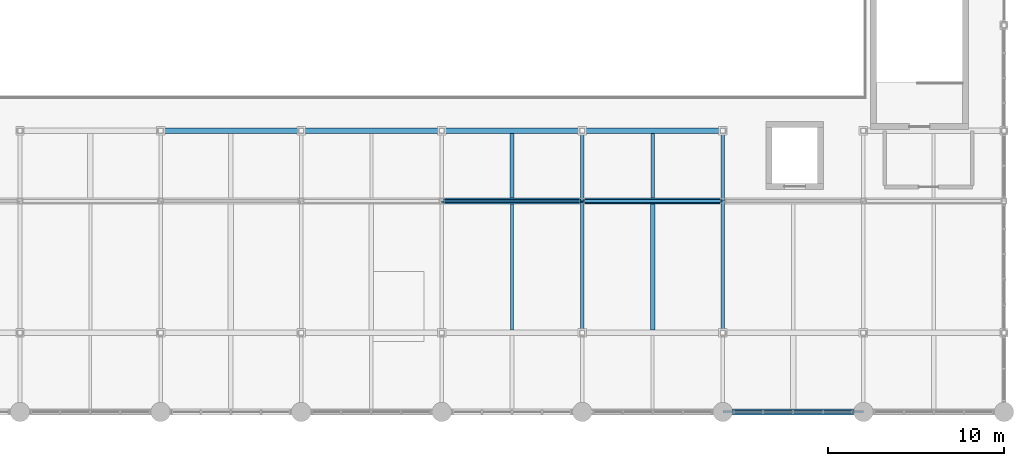
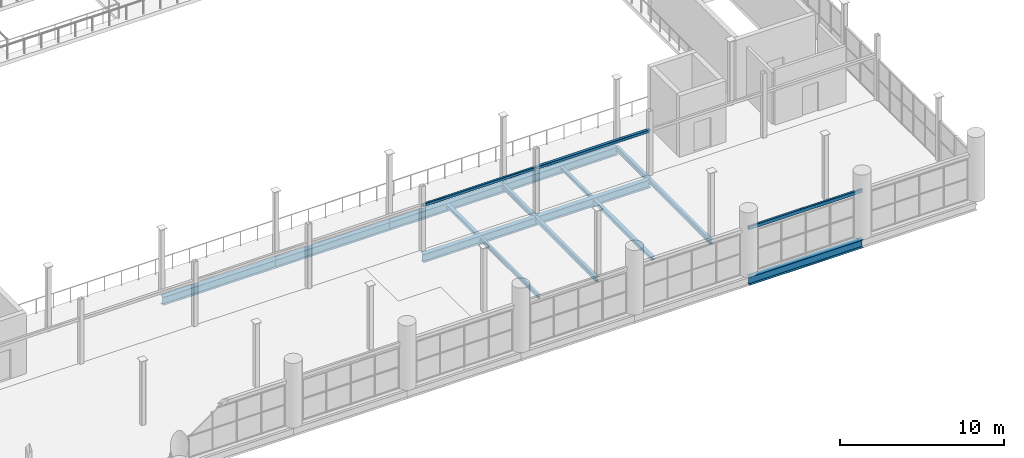
# One storey, part 31 of 114: 18 beams.
"""IFC4 building model written with IfcOpenShell, lengths in metres."""

from ifc_helpers import new_model, si_unit, direction, frame, origin, origin_2d, place, context, subcontext, project, spatial, hollow_rectangle, i_section, extrude, material, material_profile, profile_set, type_object, element, save


model = new_model("IFC4")

# Units and contexts
model_context = context("Model", 3, precision=1e-05, world=origin(), true_north=direction((0.0, 1.0)))
body_context = subcontext(model_context, "Body", "Model", "MODEL_VIEW")
ifc_project = project(units=[si_unit("LENGTHUNIT", "METRE"), si_unit("AREAUNIT", "SQUARE_METRE"), si_unit("VOLUMEUNIT", "CUBIC_METRE"), si_unit("PLANEANGLEUNIT", "RADIAN"), si_unit("MASSUNIT", "GRAM", prefix="KILO")], contexts=[model_context])

# Site, building, storey
site_placement = place(None, origin())
site = spatial("IfcSite", under=ifc_project, at=site_placement, CompositionType="ELEMENT")
building_placement = place(site_placement, origin())
building = spatial("IfcBuilding", under=site, at=building_placement, Name="Verrall Gate Interchange", CompositionType="ELEMENT")
storey_placement = place(building_placement, frame((0.0, 0.0, 6.60009765625)))
storey = spatial("IfcBuildingStorey", under=building, at=storey_placement, Name="L02", CompositionType="ELEMENT", Elevation=6.60009765625)

# Beams
ifc_material_1 = material(Name="Structural Steel CSA G40.21 350WT Cat 4", Category="steel")
ifc_material_profile_1 = material_profile(ifc_material_1, i_section(OverallWidth=0.323974609375, OverallDepth=0.611083984375, WebThickness=0.0126953125, FlangeThickness=0.01904296875, FilletRadius=0.014892578125, at=origin_2d()), Name="W610x155")
ifc_profile_set_1 = profile_set([ifc_material_profile_1], Name="Structural Steel CSA G40.21 350WT Cat 4")
beam_type_1 = type_object("IfcBeamType", Name="B-08 Structural Beam W610x155", PredefinedType="BEAM", material=ifc_profile_set_1)
for number, where, z_axis, x_axis, name in (
    (1, (92.0, 0.0, -0.585693359375), (1.0, 0.0, 0.0), (0.0, 1.0, 0.0), "L02 Girder BM-L02-1448 (B-08)"),
    (2, (76.0, 12.0, -0.585693359375), (1.0, 0.0, 0.0), (0.0, 1.0, 0.0), "L02 Girder BM-L02-1477 (B-08)"),
    (3, (84.0, 12.0, -0.585693359375), (1.0, 0.0, 0.0), (0.0, 1.0, 0.0), "L02 Girder BM-L02-1478 (B-08)"),
    (4, (60.0, 16.0, -0.585693359375), (1.0, 0.0, 0.0), (0.0, 1.0, 0.0), "L02 Girder BM-L02-1493 (B-08)"),
    (5, (68.0, 16.0, -0.585693359375), (1.0, 0.0, 0.0), (0.0, 1.0, 0.0), "L02 Girder BM-L02-1494 (B-08)"),
    (6, (76.0, 16.0, -0.585693359375), (1.0, 0.0, 0.0), (0.0, 1.0, 0.0), "L02 Girder BM-L02-1495 (B-08)"),
    (7, (84.0, 16.0, -0.585693359375), (1.0, 0.0, 0.0), (0.0, 1.0, 0.0), "L02 Girder BM-L02-1496 (B-08)"),
):
    element("IfcBeam", number, at=place(storey_placement, frame(where, z_axis=z_axis, x_axis=x_axis)), inside=storey, type_object=beam_type_1, Name=name, PredefinedType="BEAM", context=body_context, shape_type="SweptSolid", body=[
        extrude(i_section(OverallWidth=0.323974609375, OverallDepth=0.611083984375, WebThickness=0.0126953125, FlangeThickness=0.01904296875, FilletRadius=0.014892578125, at=origin_2d()), origin(), (0.0, 0.0, 1.0), 8.0),
    ])
ifc_material_2 = material(Name="Structural Steel CSA G40.21 350W", Category="steel")
ifc_material_profile_2 = material_profile(ifc_material_2, i_section(OverallWidth=0.205078125, OverallDepth=0.35400390625, WebThickness=0.009521484375, FlangeThickness=0.016845703125, FilletRadius=0.012939453125, at=origin_2d()), Name="W360x79")
ifc_profile_set_2 = profile_set([ifc_material_profile_2], Name="Structural Steel CSA G40.21 350W")
beam_type_2 = type_object("IfcBeamType", Name="B-14 Structural Beam W360x79", PredefinedType="BEAM", material=ifc_profile_set_2)
beam_1_placement = place(storey_placement, frame((84.0, 4.5, -0.45703125), z_axis=(0.0, 1.0, 0.0), x_axis=(-1.0, 0.0, 0.0)))
element("IfcBeam", 8, at=beam_1_placement, inside=storey, type_object=beam_type_2, Name="L02 Girder BM-L02-1757 (B-14)", PredefinedType="BEAM", context=body_context, shape_type="SweptSolid", body=[
    extrude(i_section(OverallWidth=0.205078125, OverallDepth=0.35400390625, WebThickness=0.009521484375, FlangeThickness=0.016845703125, FilletRadius=0.012939453125, at=origin_2d()), origin(), (0.0, 0.0, 1.0), 7.5),
])
beam_2_placement = place(storey_placement, frame((84.0, 12.0, -0.45703125), z_axis=(0.0, 1.0, 0.0), x_axis=(-1.0, 0.0, 0.0)))
element("IfcBeam", 9, at=beam_2_placement, inside=storey, type_object=beam_type_2, Name="L02 Girder BM-L02-1758 (B-14)", PredefinedType="BEAM", context=body_context, shape_type="SweptSolid", body=[
    extrude(i_section(OverallWidth=0.205078125, OverallDepth=0.35400390625, WebThickness=0.009521484375, FlangeThickness=0.016845703125, FilletRadius=0.012939453125, at=origin_2d()), origin(), (0.0, 0.0, 1.0), 4.0),
])
beam_3_placement = place(storey_placement, frame((92.0, 4.5, -0.45703125), z_axis=(0.0, 1.0, 0.0), x_axis=(-1.0, 0.0, 0.0)))
element("IfcBeam", 10, at=beam_3_placement, inside=storey, type_object=beam_type_2, Name="L02 Girder BM-L02-1762 (B-14)", PredefinedType="BEAM", context=body_context, shape_type="SweptSolid", body=[
    extrude(i_section(OverallWidth=0.205078125, OverallDepth=0.35400390625, WebThickness=0.009521484375, FlangeThickness=0.016845703125, FilletRadius=0.012939453125, at=origin_2d()), origin(), (0.0, 0.0, 1.0), 7.5),
])
beam_4_placement = place(storey_placement, frame((92.0, 12.0, -0.45703125), z_axis=(0.0, 1.0, 0.0), x_axis=(-1.0, 0.0, 0.0)))
element("IfcBeam", 11, at=beam_4_placement, inside=storey, type_object=beam_type_2, Name="L02 Girder BM-L02-1763 (B-14)", PredefinedType="BEAM", context=body_context, shape_type="SweptSolid", body=[
    extrude(i_section(OverallWidth=0.205078125, OverallDepth=0.35400390625, WebThickness=0.009521484375, FlangeThickness=0.016845703125, FilletRadius=0.012939453125, at=origin_2d()), origin(), (0.0, 0.0, 1.0), 4.0),
])
ifc_material_3 = material(Name="Structural Steel CSA G40.21 350W", Category="steel")
ifc_material_profile_3 = material_profile(ifc_material_3, i_section(OverallWidth=0.1650390625, OverallDepth=0.31005859375, WebThickness=0.005859375, FlangeThickness=0.009765625, FilletRadius=0.010009765625, at=origin_2d()), Name="W310x39")
ifc_profile_set_3 = profile_set([ifc_material_profile_3], Name="Structural Steel CSA G40.21 350W")
beam_type_3 = type_object("IfcBeamType", Name="J-04 Floor Joist W310x39", PredefinedType="JOIST", material=ifc_profile_set_3)
beam_5_placement = place(storey_placement, frame((80.0, 4.662109375, -0.43505859375), z_axis=(0.0, 1.0, 0.0), x_axis=(-1.0, 0.0, 0.0)))
element("IfcBeam", 12, at=beam_5_placement, inside=storey, type_object=beam_type_3, Name="L02 Secondary Floor Joist JST-L02-1863", PredefinedType="JOIST", context=body_context, shape_type="SweptSolid", body=[
    extrude(i_section(OverallWidth=0.1650390625, OverallDepth=0.31005859375, WebThickness=0.005859375, FlangeThickness=0.009765625, FilletRadius=0.010009765625, at=origin_2d()), origin(), (0.0, 0.0, 1.0), 7.17578125),
])
ifc_material_4 = material(Name="Structural Steel CSA G40.21 350W", Category="steel")
ifc_material_profile_4 = material_profile(ifc_material_4, i_section(OverallWidth=0.25390625, OverallDepth=0.2529296875, WebThickness=0.008544921875, FlangeThickness=0.01416015625, FilletRadius=0.011962890625, at=origin_2d()), Name="W250x73")
ifc_profile_set_4 = profile_set([ifc_material_profile_4], Name="Structural Steel CSA G40.21 350W")
beam_type_4 = type_object("IfcBeamType", Name="J-05 Floor Joist W250x73", PredefinedType="JOIST", material=ifc_profile_set_4)
beam_6_placement = place(storey_placement, frame((88.0, 4.662109375, -0.406494140625), z_axis=(0.0, 1.0, 0.0), x_axis=(-1.0, 0.0, 0.0)))
element("IfcBeam", 13, at=beam_6_placement, inside=storey, type_object=beam_type_4, Name="L02 Secondary Floor Joist JST-L02-1864", PredefinedType="JOIST", context=body_context, shape_type="SweptSolid", body=[
    extrude(i_section(OverallWidth=0.25390625, OverallDepth=0.2529296875, WebThickness=0.008544921875, FlangeThickness=0.01416015625, FilletRadius=0.011962890625, at=origin_2d()), origin(), (0.0, 0.0, 1.0), 7.17578125),
])
beam_7_placement = place(storey_placement, frame((80.0, 12.162109375, -0.406494140625), z_axis=(0.0, 1.0, 0.0), x_axis=(-1.0, 0.0, 0.0)))
element("IfcBeam", 14, at=beam_7_placement, inside=storey, type_object=beam_type_4, Name="L02 Secondary Floor Joist JST-L02-1875", PredefinedType="JOIST", context=body_context, shape_type="SweptSolid", body=[
    extrude(i_section(OverallWidth=0.25390625, OverallDepth=0.2529296875, WebThickness=0.008544921875, FlangeThickness=0.01416015625, FilletRadius=0.011962890625, at=origin_2d()), origin(), (0.0, 0.0, 1.0), 3.67578125),
])
ifc_material_5 = material(Name="Structural Steel CSA G40.21 350W", Category="steel")
ifc_material_profile_5 = material_profile(ifc_material_5, i_section(OverallWidth=0.201904296875, OverallDepth=0.2470703125, WebThickness=0.00732421875, FlangeThickness=0.010986328125, FilletRadius=0.010986328125, at=origin_2d()), Name="W250x49")
ifc_profile_set_5 = profile_set([ifc_material_profile_5], Name="Structural Steel CSA G40.21 350W")
beam_type_5 = type_object("IfcBeamType", Name="J-06 Floor Joist W250x49", PredefinedType="JOIST", material=ifc_profile_set_5)
beam_8_placement = place(storey_placement, frame((88.0, 12.162109375, -0.403564453125), z_axis=(0.0, 1.0, 0.0), x_axis=(-1.0, 0.0, 0.0)))
element("IfcBeam", 15, at=beam_8_placement, inside=storey, type_object=beam_type_5, Name="L02 Secondary Floor Joist JST-L02-1876", PredefinedType="JOIST", context=body_context, shape_type="SweptSolid", body=[
    extrude(i_section(OverallWidth=0.201904296875, OverallDepth=0.2470703125, WebThickness=0.00732421875, FlangeThickness=0.010986328125, FilletRadius=0.010986328125, at=origin_2d()), origin(), (0.0, 0.0, 1.0), 3.67578125),
])
ifc_material_6 = material(Name="Structural Steel CSA G40.21 350W", Category="steel")
ifc_material_profile_6 = material_profile(ifc_material_6, hollow_rectangle(XDim=0.152099609375, YDim=0.25390625, WallThickness=0.009521484375, InnerFilletRadius=0.009521484375, OuterFilletRadius=0.01904296875, at=origin_2d()), Name="HSS254x152x9.5")
ifc_profile_set_6 = profile_set([ifc_material_profile_6], Name="Structural Steel CSA G40.21 350W")
beam_type_6 = type_object("IfcBeamType", Name="LN-01 Portal Lintel HSS254x152x9.5", PredefinedType="LINTEL", material=ifc_profile_set_6)
beam_9_placement = place(storey_placement, frame((92.0, 0.0, 3.2998046875), z_axis=(1.0, 0.0, 0.0), x_axis=(0.0, 1.0, 0.0)))
element("IfcBeam", 16, at=beam_9_placement, inside=storey, type_object=beam_type_6, Name="Classical Portal Lintel 033", PredefinedType="LINTEL", context=body_context, shape_type="SweptSolid", body=[
    extrude(hollow_rectangle(XDim=0.152099609375, YDim=0.25390625, WallThickness=0.009521484375, InnerFilletRadius=0.009521484375, OuterFilletRadius=0.01904296875, at=origin_2d()), origin(), (0.0, 0.0, 1.0), 8.0),
])
ifc_material_7 = material(Name="Structural Steel CSA G40.21 350W", Category="steel")
ifc_material_profile_7 = material_profile(ifc_material_7, hollow_rectangle(XDim=0.152099609375, YDim=0.202880859375, WallThickness=0.008056640625, InnerFilletRadius=0.008056640625, OuterFilletRadius=0.015869140625, at=origin_2d()), Name="HSS203x152x8.0")
ifc_profile_set_7 = profile_set([ifc_material_profile_7], Name="Structural Steel CSA G40.21 350W")
beam_type_7 = type_object("IfcBeamType", Name="LN-02 Portal Lintel HSS203x152x8.0", PredefinedType="LINTEL", material=ifc_profile_set_7)
beam_10_placement = place(storey_placement, frame((76.0, 12.0, 3.2998046875), z_axis=(1.0, 0.0, 0.0), x_axis=(0.0, 1.0, 0.0)))
element("IfcBeam", 17, at=beam_10_placement, inside=storey, type_object=beam_type_7, Name="Classical Portal Lintel 030", PredefinedType="LINTEL", context=body_context, shape_type="SweptSolid", body=[
    extrude(hollow_rectangle(XDim=0.152099609375, YDim=0.202880859375, WallThickness=0.008056640625, InnerFilletRadius=0.008056640625, OuterFilletRadius=0.015869140625, at=origin_2d()), origin(), (0.0, 0.0, 1.0), 8.0),
])
ifc_material_8 = material(Name="Structural Steel CSA G40.21 350W", Category="steel")
ifc_material_profile_8 = material_profile(ifc_material_8, hollow_rectangle(XDim=0.202880859375, YDim=0.202880859375, WallThickness=0.009521484375, InnerFilletRadius=0.009521484375, OuterFilletRadius=0.01904296875, at=origin_2d()), Name="HSS203x203x9.5")
ifc_profile_set_8 = profile_set([ifc_material_profile_8], Name="Structural Steel CSA G40.21 350W")
beam_type_8 = type_object("IfcBeamType", Name="LN-04 Portal Lintel HSS203x203x9.5", PredefinedType="LINTEL", material=ifc_profile_set_8)
beam_11_placement = place(storey_placement, frame((84.0, 12.0, 3.2998046875), z_axis=(1.0, 0.0, 0.0), x_axis=(0.0, 1.0, 0.0)))
element("IfcBeam", 18, at=beam_11_placement, inside=storey, type_object=beam_type_8, Name="Classical Portal Lintel 032", PredefinedType="LINTEL", context=body_context, shape_type="SweptSolid", body=[
    extrude(hollow_rectangle(XDim=0.202880859375, YDim=0.202880859375, WallThickness=0.009521484375, InnerFilletRadius=0.009521484375, OuterFilletRadius=0.01904296875, at=origin_2d()), origin(), (0.0, 0.0, 1.0), 8.0),
])

save(model, "model.ifc")
